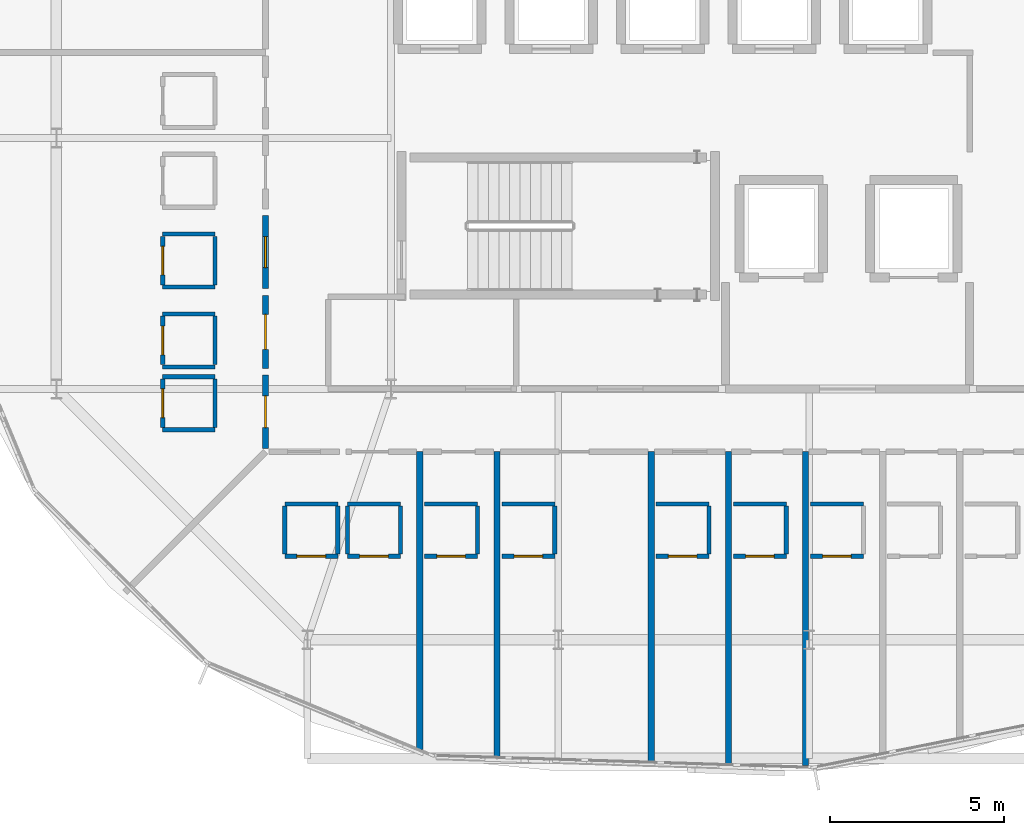
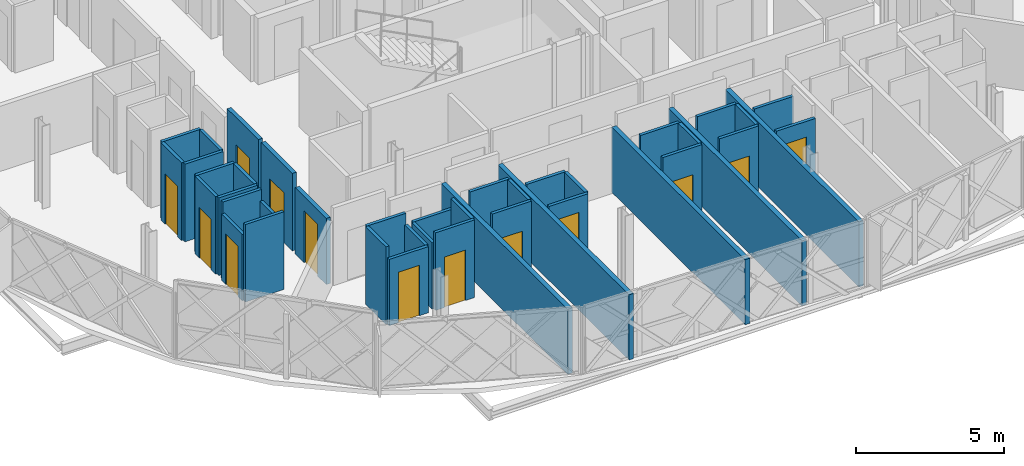
# One storey, part 38 of 50: 42 walls, 13 doors, 13 openings.
"""IFC4 building model written with IfcOpenShell, lengths in metres."""

from ifc_helpers import new_model, si_unit, direction, frame, frame_2d, origin, place, context, subcontext, project, spatial, rectangle, extrude, material, layer, layer_set, type_object, element, fill, save


model = new_model("IFC4")

# Units and contexts
model_context = context("Model", 3, precision=1e-05, world=origin(), true_north=direction((0.0, 1.0)))
body_context = subcontext(model_context, "Body", "Model", "MODEL_VIEW")
ifc_project = project(units=[si_unit("LENGTHUNIT", "METRE"), si_unit("AREAUNIT", "SQUARE_METRE"), si_unit("VOLUMEUNIT", "CUBIC_METRE"), si_unit("PLANEANGLEUNIT", "RADIAN"), si_unit("MASSUNIT", "GRAM", prefix="KILO")], contexts=[model_context])

# Site, building, storey
site_placement = place(None, origin())
site = spatial("IfcSite", under=ifc_project, at=site_placement, CompositionType="ELEMENT")
building_placement = place(site_placement, origin())
building = spatial("IfcBuilding", under=site, at=building_placement, Name="Zevrakil Square Congress Hotel", CompositionType="ELEMENT")
storey_placement = place(building_placement, frame((0.0, 0.0, 21.5)))
storey = spatial("IfcBuildingStorey", under=building, at=storey_placement, Name="L06", CompositionType="ELEMENT", Elevation=21.5)

# Wall, opening, door
ifc_material_1 = material(Name="Gypsum Acoustic Stud Partition")
ifc_layer_1 = layer(ifc_material_1, 0.159912109375)
ifc_layer_set_1 = layer_set([ifc_layer_1], Name="Gypsum Acoustic Stud Partition")
wall_type_1 = type_object("IfcWallType", Name="WAL-CORR-160", PredefinedType="PARTITIONING", material=ifc_layer_set_1)
wall_1_placement = place(storey_placement, frame((133.199951171875, 19.6767578125, 0.0), z_axis=(0.0, 0.0, 1.0), x_axis=(0.0, 1.0, 0.0)))
wall_1 = element("IfcWall", 1, at=wall_1_placement, inside=storey, type_object=wall_type_1, Name="L06 interior partition PW-L06-0904", PredefinedType="PARTITIONING", context=body_context, shape_type="SweptSolid", body=[
    extrude(rectangle(XDim=2.100830078125, YDim=0.159912109375, at=frame_2d((1.05029296875, 0.0))), origin(), (0.0, 0.0, 1.0), 3.195068359375),
])
opening_1_placement = place(wall_1_placement, frame((0.6064453125, 0.0, 0.0)))
opening_1 = element("IfcOpeningElement", 2, at=opening_1_placement, cuts=wall_1, Name="Opening ID-H04", PredefinedType="OPENING", context=body_context, shape_type="SweptSolid", body=[
    extrude(rectangle(XDim=0.887939453125, YDim=2.070068359375, at=frame_2d((0.44384765625, 1.03515625))), frame((0.0, 0.08984375, 0.0), z_axis=(0.0, -1.0, 0.0), x_axis=(1.0, 0.0, 0.0)), (0.0, 0.0, 1.0), 0.179931640625),
])
ifc_material_2 = material(Name="Acoustic Timber Fire Door", Category="wood")
door_type_1 = type_object("IfcDoorType", Name="DOR-INT-H04", OperationType="NOTDEFINED", PredefinedType="DOOR", material=ifc_material_2)
door_1_placement = place(opening_1_placement, origin())
door_1 = element("IfcDoor", 3, at=door_1_placement, inside=storey, type_object=door_type_1, Name="L06 interior door 357", OperationType="SINGLE_SWING_LEFT", OverallHeight=2.070068359375, OverallWidth=0.887939453125, PredefinedType="DOOR", context=body_context, shape_type="SweptSolid", body=[
    extrude(rectangle(XDim=0.887939453125, YDim=2.070068359375, at=frame_2d((0.44384765625, 1.03515625))), frame((0.0, 0.02490234375, 0.0), z_axis=(0.0, -1.0, 0.0), x_axis=(1.0, 0.0, 0.0)), (0.0, 0.0, 1.0), 0.050048828125),
])
fill(opening_1, door_1)

wall_2_placement = place(storey_placement, frame((133.199951171875, 17.385986328125, 0.0), z_axis=(0.0, 0.0, 1.0), x_axis=(0.0, 1.0, 0.0)))
wall_2 = element("IfcWall", 4, at=wall_2_placement, inside=storey, type_object=wall_type_1, Name="L06 interior partition PW-L06-0909", PredefinedType="PARTITIONING", context=body_context, shape_type="SweptSolid", body=[
    extrude(rectangle(XDim=2.100830078125, YDim=0.159912109375, at=frame_2d((1.05029296875, 0.0))), origin(), (0.0, 0.0, 1.0), 3.195068359375),
])
opening_2_placement = place(wall_2_placement, frame((0.5478515625, 0.0, 0.0)))
opening_2 = element("IfcOpeningElement", 5, at=opening_2_placement, cuts=wall_2, Name="Opening ID-G07", PredefinedType="OPENING", context=body_context, shape_type="SweptSolid", body=[
    extrude(rectangle(XDim=1.0048828125, YDim=2.050048828125, at=frame_2d((0.50244140625, 1.02490234375))), frame((0.0, 0.08984375, 0.0), z_axis=(0.0, -1.0, 0.0), x_axis=(1.0, 0.0, 0.0)), (0.0, 0.0, 1.0), 0.179931640625),
])
ifc_material_3 = material(Name="Acoustic Timber Fire Door", Category="wood")
door_type_2 = type_object("IfcDoorType", Name="DOR-INT-G07", OperationType="NOTDEFINED", PredefinedType="DOOR", material=ifc_material_3)
door_2_placement = place(opening_2_placement, origin())
door_2 = element("IfcDoor", 6, at=door_2_placement, inside=storey, type_object=door_type_2, Name="L06 interior door 359", OperationType="SINGLE_SWING_LEFT", OverallHeight=2.050048828125, OverallWidth=1.0048828125, PredefinedType="DOOR", context=body_context, shape_type="SweptSolid", body=[
    extrude(rectangle(XDim=1.0048828125, YDim=2.050048828125, at=frame_2d((0.50244140625, 1.02490234375))), frame((0.0, 0.02490234375, 0.0), z_axis=(0.0, -1.0, 0.0), x_axis=(1.0, 0.0, 0.0)), (0.0, 0.0, 1.0), 0.050048828125),
])
fill(opening_2, door_2)

wall_3_placement = place(storey_placement, frame((133.199951171875, 15.094970703125, 0.0), z_axis=(0.0, 0.0, 1.0), x_axis=(0.0, 1.0, 0.0)))
wall_3 = element("IfcWall", 7, at=wall_3_placement, inside=storey, type_object=wall_type_1, Name="L06 interior partition PW-L06-0914", PredefinedType="PARTITIONING", context=body_context, shape_type="SweptSolid", body=[
    extrude(rectangle(XDim=2.100830078125, YDim=0.159912109375, at=frame_2d((1.05029296875, 0.0))), origin(), (0.0, 0.0, 1.0), 2.72998046875),
])
opening_3_placement = place(wall_3_placement, frame((0.594482421875, 0.0, 0.0)))
opening_3 = element("IfcOpeningElement", 8, at=opening_3_placement, cuts=wall_3, Name="Opening ID-H06", PredefinedType="OPENING", context=body_context, shape_type="SweptSolid", body=[
    extrude(rectangle(XDim=0.912109375, YDim=2.1298828125, at=frame_2d((0.4560546875, 1.06494140625))), frame((0.0, 0.08984375, 0.0), z_axis=(0.0, -1.0, 0.0), x_axis=(1.0, 0.0, 0.0)), (0.0, 0.0, 1.0), 0.179931640625),
])
ifc_material_4 = material(Name="Acoustic Timber Fire Door", Category="wood")
door_type_3 = type_object("IfcDoorType", Name="DOR-INT-H06", OperationType="NOTDEFINED", PredefinedType="DOOR", material=ifc_material_4)
door_3_placement = place(opening_3_placement, origin())
door_3 = element("IfcDoor", 9, at=door_3_placement, inside=storey, type_object=door_type_3, Name="L06 interior door 361", OperationType="SINGLE_SWING_LEFT", OverallHeight=2.1298828125, OverallWidth=0.912109375, PredefinedType="DOOR", context=body_context, shape_type="SweptSolid", body=[
    extrude(rectangle(XDim=0.912109375, YDim=2.1298828125, at=frame_2d((0.4560546875, 1.06494140625))), frame((0.0, 0.02490234375, 0.0), z_axis=(0.0, -1.0, 0.0), x_axis=(1.0, 0.0, 0.0)), (0.0, 0.0, 1.0), 0.050048828125),
])
fill(opening_3, door_3)

ifc_material_5 = material(Name="Moisture-Resistant Gypsum Partition")
ifc_layer_2 = layer(ifc_material_5, 0.1201171875)
ifc_layer_set_2 = layer_set([ifc_layer_2], Name="Moisture-Resistant Gypsum Partition")
wall_type_2 = type_object("IfcWallType", Name="WAL-ENS-120", PredefinedType="PARTITIONING", material=ifc_layer_set_2)
wall_4_placement = place(storey_placement, frame((133.753662109375, 12.0, 0.0), z_axis=(0.0, 0.0, 1.0), x_axis=(1.0, 0.0, 0.0)))
wall_4 = element("IfcWall", 10, at=wall_4_placement, inside=storey, type_object=wall_type_2, Name="L06 interior partition PW-L06-0710", PredefinedType="PARTITIONING", context=body_context, shape_type="SweptSolid", body=[
    extrude(rectangle(XDim=1.52001953125, YDim=0.1201171875, at=frame_2d((0.760009765625, 0.0))), origin(), (0.0, 0.0, 1.0), 2.72998046875),
])
opening_4_placement = place(wall_4_placement, frame((0.35009765625, 0.0, 0.0)))
opening_4 = element("IfcOpeningElement", 11, at=opening_4_placement, cuts=wall_4, Name="Opening ID-11", PredefinedType="OPENING", context=body_context, shape_type="SweptSolid", body=[
    extrude(rectangle(XDim=0.820068359375, YDim=2.080078125, at=frame_2d((0.41015625, 1.0400390625))), frame((0.0, 0.070068359375, 0.0), z_axis=(0.0, -1.0, 0.0), x_axis=(1.0, 0.0, 0.0)), (0.0, 0.0, 1.0), 0.14013671875),
])
ifc_material_6 = material(Name="Acoustic Timber Door", Category="wood")
door_type_4 = type_object("IfcDoorType", Name="DOR-INT-V01", OperationType="NOTDEFINED", PredefinedType="DOOR", material=ifc_material_6)
door_4_placement = place(opening_4_placement, origin())
door_4 = element("IfcDoor", 12, at=door_4_placement, inside=storey, type_object=door_type_4, Name="L06 interior door 282", OperationType="SINGLE_SWING_RIGHT", OverallHeight=2.080078125, OverallWidth=0.820068359375, PredefinedType="DOOR", context=body_context, shape_type="SweptSolid", body=[
    extrude(rectangle(XDim=0.820068359375, YDim=2.080078125, at=frame_2d((0.41015625, 1.0400390625))), frame((0.0, 0.02490234375, 0.0), z_axis=(0.0, -1.0, 0.0), x_axis=(1.0, 0.0, 0.0)), (0.0, 0.0, 1.0), 0.050048828125),
])
fill(opening_4, door_4)

# Walls
wall_5_placement = place(storey_placement, frame((133.753662109375, 13.5, 0.0), z_axis=(0.0, 0.0, 1.0), x_axis=(1.0, 0.0, 0.0)))
element("IfcWall", 13, at=wall_5_placement, inside=storey, type_object=wall_type_2, Name="L06 interior partition PW-L06-0711", PredefinedType="PARTITIONING", context=body_context, shape_type="SweptSolid", body=[
    extrude(rectangle(XDim=1.52001953125, YDim=0.1201171875, at=frame_2d((0.760009765625, 0.0))), origin(), (0.0, 0.0, 1.0), 3.195068359375),
])
wall_6_placement = place(storey_placement, frame((133.753662109375, 12.06494140625, 0.0), z_axis=(0.0, 0.0, 1.0), x_axis=(0.0, 1.0, 0.0)))
element("IfcWall", 14, at=wall_6_placement, inside=storey, type_object=wall_type_2, Name="L06 interior partition PW-L06-0712", PredefinedType="PARTITIONING", context=body_context, shape_type="SweptSolid", body=[
    extrude(rectangle(XDim=1.3701171875, YDim=0.1201171875, at=frame_2d((0.68505859375, 0.0))), origin(), (0.0, 0.0, 1.0), 3.195068359375),
])
wall_7_placement = place(storey_placement, frame((135.273681640625, 12.06494140625, 0.0), z_axis=(0.0, 0.0, 1.0), x_axis=(0.0, 1.0, 0.0)))
element("IfcWall", 15, at=wall_7_placement, inside=storey, type_object=wall_type_2, Name="L06 interior partition PW-L06-0713", PredefinedType="PARTITIONING", context=body_context, shape_type="SweptSolid", body=[
    extrude(rectangle(XDim=1.3701171875, YDim=0.1201171875, at=frame_2d((0.68505859375, 0.0))), origin(), (0.0, 0.0, 1.0), 2.72998046875),
])

# Wall, opening, door
wall_8_placement = place(storey_placement, frame((135.5537109375, 12.0, 0.0), z_axis=(0.0, 0.0, 1.0), x_axis=(1.0, 0.0, 0.0)))
wall_8 = element("IfcWall", 16, at=wall_8_placement, inside=storey, type_object=wall_type_2, Name="L06 interior partition PW-L06-0716", PredefinedType="PARTITIONING", context=body_context, shape_type="SweptSolid", body=[
    extrude(rectangle(XDim=1.519775390625, YDim=0.1201171875, at=frame_2d((0.759765625, 0.0))), origin(), (0.0, 0.0, 1.0), 3.195068359375),
])
opening_5_placement = place(wall_8_placement, frame((0.35009765625, 0.0, 0.0)))
opening_5 = element("IfcOpeningElement", 17, at=opening_5_placement, cuts=wall_8, Name="Opening ID-11", PredefinedType="OPENING", context=body_context, shape_type="SweptSolid", body=[
    extrude(rectangle(XDim=0.820068359375, YDim=2.080078125, at=frame_2d((0.41015625, 1.0400390625))), frame((0.0, 0.070068359375, 0.0), z_axis=(0.0, -1.0, 0.0), x_axis=(1.0, 0.0, 0.0)), (0.0, 0.0, 1.0), 0.14013671875),
])
door_5_placement = place(opening_5_placement, origin())
door_5 = element("IfcDoor", 18, at=door_5_placement, inside=storey, type_object=door_type_4, Name="L06 interior door 284", OperationType="SINGLE_SWING_RIGHT", OverallHeight=2.080078125, OverallWidth=0.820068359375, PredefinedType="DOOR", context=body_context, shape_type="SweptSolid", body=[
    extrude(rectangle(XDim=0.820068359375, YDim=2.080078125, at=frame_2d((0.41015625, 1.0400390625))), frame((0.0, 0.02490234375, 0.0), z_axis=(0.0, -1.0, 0.0), x_axis=(1.0, 0.0, 0.0)), (0.0, 0.0, 1.0), 0.050048828125),
])
fill(opening_5, door_5)

# Walls
wall_9_placement = place(storey_placement, frame((135.5537109375, 13.5, 0.0), z_axis=(0.0, 0.0, 1.0), x_axis=(1.0, 0.0, 0.0)))
element("IfcWall", 19, at=wall_9_placement, inside=storey, type_object=wall_type_2, Name="L06 interior partition PW-L06-0717", PredefinedType="PARTITIONING", context=body_context, shape_type="SweptSolid", body=[
    extrude(rectangle(XDim=1.519775390625, YDim=0.1201171875, at=frame_2d((0.759765625, 0.0))), origin(), (0.0, 0.0, 1.0), 2.72998046875),
])
wall_10_placement = place(storey_placement, frame((135.5537109375, 12.06494140625, 0.0), z_axis=(0.0, 0.0, 1.0), x_axis=(0.0, 1.0, 0.0)))
element("IfcWall", 20, at=wall_10_placement, inside=storey, type_object=wall_type_2, Name="L06 interior partition PW-L06-0718", PredefinedType="PARTITIONING", context=body_context, shape_type="SweptSolid", body=[
    extrude(rectangle(XDim=1.3701171875, YDim=0.1201171875, at=frame_2d((0.68505859375, 0.0))), origin(), (0.0, 0.0, 1.0), 2.72998046875),
])
wall_11_placement = place(storey_placement, frame((137.073486328125, 12.06494140625, 0.0), z_axis=(0.0, 0.0, 1.0), x_axis=(0.0, 1.0, 0.0)))
element("IfcWall", 21, at=wall_11_placement, inside=storey, type_object=wall_type_2, Name="L06 interior partition PW-L06-0719", PredefinedType="PARTITIONING", context=body_context, shape_type="SweptSolid", body=[
    extrude(rectangle(XDim=1.3701171875, YDim=0.1201171875, at=frame_2d((0.68505859375, 0.0))), origin(), (0.0, 0.0, 1.0), 3.195068359375),
])

# Wall, opening, door
wall_12_placement = place(storey_placement, frame((137.767333984375, 12.0, 0.0), z_axis=(0.0, 0.0, 1.0), x_axis=(1.0, 0.0, 0.0)))
wall_12 = element("IfcWall", 22, at=wall_12_placement, inside=storey, type_object=wall_type_2, Name="L06 interior partition PW-L06-0722", PredefinedType="PARTITIONING", context=body_context, shape_type="SweptSolid", body=[
    extrude(rectangle(XDim=1.52001953125, YDim=0.1201171875, at=frame_2d((0.760009765625, 0.0))), origin(), (0.0, 0.0, 1.0), 3.195068359375),
])
opening_6_placement = place(wall_12_placement, frame((0.35009765625, 0.0, 0.0)))
opening_6 = element("IfcOpeningElement", 23, at=opening_6_placement, cuts=wall_12, Name="Opening ID-11", PredefinedType="OPENING", context=body_context, shape_type="SweptSolid", body=[
    extrude(rectangle(XDim=0.820068359375, YDim=2.080078125, at=frame_2d((0.41015625, 1.0400390625))), frame((0.0, 0.070068359375, 0.0), z_axis=(0.0, -1.0, 0.0), x_axis=(1.0, 0.0, 0.0)), (0.0, 0.0, 1.0), 0.14013671875),
])
door_6_placement = place(opening_6_placement, origin())
door_6 = element("IfcDoor", 24, at=door_6_placement, inside=storey, type_object=door_type_4, Name="L06 interior door 286", OperationType="SINGLE_SWING_RIGHT", OverallHeight=2.080078125, OverallWidth=0.820068359375, PredefinedType="DOOR", context=body_context, shape_type="SweptSolid", body=[
    extrude(rectangle(XDim=0.820068359375, YDim=2.080078125, at=frame_2d((0.41015625, 1.0400390625))), frame((0.0, 0.02490234375, 0.0), z_axis=(0.0, -1.0, 0.0), x_axis=(1.0, 0.0, 0.0)), (0.0, 0.0, 1.0), 0.050048828125),
])
fill(opening_6, door_6)

# Walls
wall_13_placement = place(storey_placement, frame((137.767333984375, 13.5, 0.0), z_axis=(0.0, 0.0, 1.0), x_axis=(1.0, 0.0, 0.0)))
element("IfcWall", 25, at=wall_13_placement, inside=storey, type_object=wall_type_2, Name="L06 interior partition PW-L06-0723", PredefinedType="PARTITIONING", context=body_context, shape_type="SweptSolid", body=[
    extrude(rectangle(XDim=1.52001953125, YDim=0.1201171875, at=frame_2d((0.760009765625, 0.0))), origin(), (0.0, 0.0, 1.0), 3.195068359375),
])
wall_14_placement = place(storey_placement, frame((139.287353515625, 12.06494140625, 0.0), z_axis=(0.0, 0.0, 1.0), x_axis=(0.0, 1.0, 0.0)))
element("IfcWall", 26, at=wall_14_placement, inside=storey, type_object=wall_type_2, Name="L06 interior partition PW-L06-0724", PredefinedType="PARTITIONING", context=body_context, shape_type="SweptSolid", body=[
    extrude(rectangle(XDim=1.3701171875, YDim=0.1201171875, at=frame_2d((0.68505859375, 0.0))), origin(), (0.0, 0.0, 1.0), 3.195068359375),
])

# Wall, opening, door
wall_15_placement = place(storey_placement, frame((139.98095703125, 12.0, 0.0), z_axis=(0.0, 0.0, 1.0), x_axis=(1.0, 0.0, 0.0)))
wall_15 = element("IfcWall", 27, at=wall_15_placement, inside=storey, type_object=wall_type_2, Name="L06 interior partition PW-L06-0727", PredefinedType="PARTITIONING", context=body_context, shape_type="SweptSolid", body=[
    extrude(rectangle(XDim=1.52001953125, YDim=0.1201171875, at=frame_2d((0.760009765625, 0.0))), origin(), (0.0, 0.0, 1.0), 2.72998046875),
])
opening_7_placement = place(wall_15_placement, frame((0.35009765625, 0.0, 0.0)))
opening_7 = element("IfcOpeningElement", 28, at=opening_7_placement, cuts=wall_15, Name="Opening ID-11", PredefinedType="OPENING", context=body_context, shape_type="SweptSolid", body=[
    extrude(rectangle(XDim=0.820068359375, YDim=2.080078125, at=frame_2d((0.41015625, 1.0400390625))), frame((0.0, 0.070068359375, 0.0), z_axis=(0.0, -1.0, 0.0), x_axis=(1.0, 0.0, 0.0)), (0.0, 0.0, 1.0), 0.14013671875),
])
door_7_placement = place(opening_7_placement, origin())
door_7 = element("IfcDoor", 29, at=door_7_placement, inside=storey, type_object=door_type_4, Name="L06 interior door 288", OperationType="SINGLE_SWING_RIGHT", OverallHeight=2.080078125, OverallWidth=0.820068359375, PredefinedType="DOOR", context=body_context, shape_type="SweptSolid", body=[
    extrude(rectangle(XDim=0.820068359375, YDim=2.080078125, at=frame_2d((0.41015625, 1.0400390625))), frame((0.0, 0.02490234375, 0.0), z_axis=(0.0, -1.0, 0.0), x_axis=(1.0, 0.0, 0.0)), (0.0, 0.0, 1.0), 0.050048828125),
])
fill(opening_7, door_7)

# Walls
wall_16_placement = place(storey_placement, frame((139.98095703125, 13.5, 0.0), z_axis=(0.0, 0.0, 1.0), x_axis=(1.0, 0.0, 0.0)))
element("IfcWall", 30, at=wall_16_placement, inside=storey, type_object=wall_type_2, Name="L06 interior partition PW-L06-0728", PredefinedType="PARTITIONING", context=body_context, shape_type="SweptSolid", body=[
    extrude(rectangle(XDim=1.52001953125, YDim=0.1201171875, at=frame_2d((0.760009765625, 0.0))), origin(), (0.0, 0.0, 1.0), 2.72998046875),
])
wall_17_placement = place(storey_placement, frame((141.5009765625, 12.06494140625, 0.0), z_axis=(0.0, 0.0, 1.0), x_axis=(0.0, 1.0, 0.0)))
element("IfcWall", 31, at=wall_17_placement, inside=storey, type_object=wall_type_2, Name="L06 interior partition PW-L06-0729", PredefinedType="PARTITIONING", context=body_context, shape_type="SweptSolid", body=[
    extrude(rectangle(XDim=1.3701171875, YDim=0.1201171875, at=frame_2d((0.68505859375, 0.0))), origin(), (0.0, 0.0, 1.0), 2.72998046875),
])

# Wall, opening, door
wall_18_placement = place(storey_placement, frame((144.408203125, 12.0, 0.0), z_axis=(0.0, 0.0, 1.0), x_axis=(1.0, 0.0, 0.0)))
wall_18 = element("IfcWall", 32, at=wall_18_placement, inside=storey, type_object=wall_type_2, Name="L06 interior partition PW-L06-0732", PredefinedType="PARTITIONING", context=body_context, shape_type="SweptSolid", body=[
    extrude(rectangle(XDim=1.52001953125, YDim=0.1201171875, at=frame_2d((0.760009765625, 0.0))), origin(), (0.0, 0.0, 1.0), 3.195068359375),
])
opening_8_placement = place(wall_18_placement, frame((0.35009765625, 0.0, 0.0)))
opening_8 = element("IfcOpeningElement", 33, at=opening_8_placement, cuts=wall_18, Name="Opening ID-11", PredefinedType="OPENING", context=body_context, shape_type="SweptSolid", body=[
    extrude(rectangle(XDim=0.820068359375, YDim=2.080078125, at=frame_2d((0.41015625, 1.0400390625))), frame((0.0, 0.070068359375, 0.0), z_axis=(0.0, -1.0, 0.0), x_axis=(1.0, 0.0, 0.0)), (0.0, 0.0, 1.0), 0.14013671875),
])
door_8_placement = place(opening_8_placement, origin())
door_8 = element("IfcDoor", 34, at=door_8_placement, inside=storey, type_object=door_type_4, Name="L06 interior door 290", OperationType="SINGLE_SWING_RIGHT", OverallHeight=2.080078125, OverallWidth=0.820068359375, PredefinedType="DOOR", context=body_context, shape_type="SweptSolid", body=[
    extrude(rectangle(XDim=0.820068359375, YDim=2.080078125, at=frame_2d((0.41015625, 1.0400390625))), frame((0.0, 0.02490234375, 0.0), z_axis=(0.0, -1.0, 0.0), x_axis=(1.0, 0.0, 0.0)), (0.0, 0.0, 1.0), 0.050048828125),
])
fill(opening_8, door_8)

# Walls
wall_19_placement = place(storey_placement, frame((144.408203125, 13.5, 0.0), z_axis=(0.0, 0.0, 1.0), x_axis=(1.0, 0.0, 0.0)))
element("IfcWall", 35, at=wall_19_placement, inside=storey, type_object=wall_type_2, Name="L06 interior partition PW-L06-0733", PredefinedType="PARTITIONING", context=body_context, shape_type="SweptSolid", body=[
    extrude(rectangle(XDim=1.52001953125, YDim=0.1201171875, at=frame_2d((0.760009765625, 0.0))), origin(), (0.0, 0.0, 1.0), 3.195068359375),
])
wall_20_placement = place(storey_placement, frame((145.92822265625, 12.06494140625, 0.0), z_axis=(0.0, 0.0, 1.0), x_axis=(0.0, 1.0, 0.0)))
element("IfcWall", 36, at=wall_20_placement, inside=storey, type_object=wall_type_2, Name="L06 interior partition PW-L06-0734", PredefinedType="PARTITIONING", context=body_context, shape_type="SweptSolid", body=[
    extrude(rectangle(XDim=1.3701171875, YDim=0.1201171875, at=frame_2d((0.68505859375, 0.0))), origin(), (0.0, 0.0, 1.0), 3.195068359375),
])

# Wall, opening, door
wall_21_placement = place(storey_placement, frame((146.621826171875, 12.0, 0.0), z_axis=(0.0, 0.0, 1.0), x_axis=(1.0, 0.0, 0.0)))
wall_21 = element("IfcWall", 37, at=wall_21_placement, inside=storey, type_object=wall_type_2, Name="L06 interior partition PW-L06-0737", PredefinedType="PARTITIONING", context=body_context, shape_type="SweptSolid", body=[
    extrude(rectangle(XDim=1.52001953125, YDim=0.1201171875, at=frame_2d((0.760009765625, 0.0))), origin(), (0.0, 0.0, 1.0), 3.195068359375),
])
opening_9_placement = place(wall_21_placement, frame((0.35009765625, 0.0, 0.0)))
opening_9 = element("IfcOpeningElement", 38, at=opening_9_placement, cuts=wall_21, Name="Opening ID-11", PredefinedType="OPENING", context=body_context, shape_type="SweptSolid", body=[
    extrude(rectangle(XDim=0.820068359375, YDim=2.080078125, at=frame_2d((0.41015625, 1.0400390625))), frame((0.0, 0.070068359375, 0.0), z_axis=(0.0, -1.0, 0.0), x_axis=(1.0, 0.0, 0.0)), (0.0, 0.0, 1.0), 0.14013671875),
])
door_9_placement = place(opening_9_placement, origin())
door_9 = element("IfcDoor", 39, at=door_9_placement, inside=storey, type_object=door_type_4, Name="L06 interior door 292", OperationType="SINGLE_SWING_RIGHT", OverallHeight=2.080078125, OverallWidth=0.820068359375, PredefinedType="DOOR", context=body_context, shape_type="SweptSolid", body=[
    extrude(rectangle(XDim=0.820068359375, YDim=2.080078125, at=frame_2d((0.41015625, 1.0400390625))), frame((0.0, 0.02490234375, 0.0), z_axis=(0.0, -1.0, 0.0), x_axis=(1.0, 0.0, 0.0)), (0.0, 0.0, 1.0), 0.050048828125),
])
fill(opening_9, door_9)

# Walls
wall_22_placement = place(storey_placement, frame((146.621826171875, 13.5, 0.0), z_axis=(0.0, 0.0, 1.0), x_axis=(1.0, 0.0, 0.0)))
element("IfcWall", 40, at=wall_22_placement, inside=storey, type_object=wall_type_2, Name="L06 interior partition PW-L06-0738", PredefinedType="PARTITIONING", context=body_context, shape_type="SweptSolid", body=[
    extrude(rectangle(XDim=1.52001953125, YDim=0.1201171875, at=frame_2d((0.760009765625, 0.0))), origin(), (0.0, 0.0, 1.0), 3.195068359375),
])
wall_23_placement = place(storey_placement, frame((148.141845703125, 12.06494140625, 0.0), z_axis=(0.0, 0.0, 1.0), x_axis=(0.0, 1.0, 0.0)))
element("IfcWall", 41, at=wall_23_placement, inside=storey, type_object=wall_type_2, Name="L06 interior partition PW-L06-0739", PredefinedType="PARTITIONING", context=body_context, shape_type="SweptSolid", body=[
    extrude(rectangle(XDim=1.3701171875, YDim=0.1201171875, at=frame_2d((0.68505859375, 0.0))), origin(), (0.0, 0.0, 1.0), 3.195068359375),
])

# Wall, opening, door
wall_24_placement = place(storey_placement, frame((148.83544921875, 12.0, 0.0), z_axis=(0.0, 0.0, 1.0), x_axis=(1.0, 0.0, 0.0)))
wall_24 = element("IfcWall", 42, at=wall_24_placement, inside=storey, type_object=wall_type_2, Name="L06 interior partition PW-L06-0742", PredefinedType="PARTITIONING", context=body_context, shape_type="SweptSolid", body=[
    extrude(rectangle(XDim=1.52001953125, YDim=0.1201171875, at=frame_2d((0.760009765625, 0.0))), origin(), (0.0, 0.0, 1.0), 2.72998046875),
])
opening_10_placement = place(wall_24_placement, frame((0.35009765625, 0.0, 0.0)))
opening_10 = element("IfcOpeningElement", 43, at=opening_10_placement, cuts=wall_24, Name="Opening ID-11", PredefinedType="OPENING", context=body_context, shape_type="SweptSolid", body=[
    extrude(rectangle(XDim=0.820068359375, YDim=2.080078125, at=frame_2d((0.41015625, 1.0400390625))), frame((0.0, 0.070068359375, 0.0), z_axis=(0.0, -1.0, 0.0), x_axis=(1.0, 0.0, 0.0)), (0.0, 0.0, 1.0), 0.14013671875),
])
door_10_placement = place(opening_10_placement, origin())
door_10 = element("IfcDoor", 44, at=door_10_placement, inside=storey, type_object=door_type_4, Name="L06 interior door 294", OperationType="SINGLE_SWING_RIGHT", OverallHeight=2.080078125, OverallWidth=0.820068359375, PredefinedType="DOOR", context=body_context, shape_type="SweptSolid", body=[
    extrude(rectangle(XDim=0.820068359375, YDim=2.080078125, at=frame_2d((0.41015625, 1.0400390625))), frame((0.0, 0.02490234375, 0.0), z_axis=(0.0, -1.0, 0.0), x_axis=(1.0, 0.0, 0.0)), (0.0, 0.0, 1.0), 0.050048828125),
])
fill(opening_10, door_10)

# Walls
wall_25_placement = place(storey_placement, frame((148.83544921875, 13.5, 0.0), z_axis=(0.0, 0.0, 1.0), x_axis=(1.0, 0.0, 0.0)))
element("IfcWall", 45, at=wall_25_placement, inside=storey, type_object=wall_type_2, Name="L06 interior partition PW-L06-0743", PredefinedType="PARTITIONING", context=body_context, shape_type="SweptSolid", body=[
    extrude(rectangle(XDim=1.52001953125, YDim=0.1201171875, at=frame_2d((0.760009765625, 0.0))), origin(), (0.0, 0.0, 1.0), 2.72998046875),
])
for number, where, z_axis, x_axis, name in (
    (46, (130.25, 19.7216796875, 0.0), (0.0, 0.0, 1.0), (1.0, 0.0, 0.0), "L06 interior partition PW-L06-0905"),
    (47, (130.25, 21.24169921875, 0.0), (0.0, 0.0, 1.0), (1.0, 0.0, 0.0), "L06 interior partition PW-L06-0906"),
):
    element("IfcWall", number, at=place(storey_placement, frame(where, z_axis=z_axis, x_axis=x_axis)), inside=storey, type_object=wall_type_2, Name=name, PredefinedType="PARTITIONING", context=body_context, shape_type="SweptSolid", body=[
        extrude(rectangle(XDim=1.5, YDim=0.1201171875, at=frame_2d((0.75, 0.0))), origin(), (0.0, 0.0, 1.0), 3.195068359375),
    ])

# Wall, opening, door
wall_26_placement = place(storey_placement, frame((130.25, 19.786865234375, 0.0), z_axis=(0.0, 0.0, 1.0), x_axis=(0.0, 1.0, 0.0)))
wall_26 = element("IfcWall", 48, at=wall_26_placement, inside=storey, type_object=wall_type_2, Name="L06 interior partition PW-L06-0907", PredefinedType="PARTITIONING", context=body_context, shape_type="SweptSolid", body=[
    extrude(rectangle(XDim=1.389892578125, YDim=0.1201171875, at=frame_2d((0.69482421875, 0.0))), origin(), (0.0, 0.0, 1.0), 3.195068359375),
])
opening_11_placement = place(wall_26_placement, frame((0.284912109375, 0.0, 0.0)))
opening_11 = element("IfcOpeningElement", 49, at=opening_11_placement, cuts=wall_26, Name="Opening ID-11", PredefinedType="OPENING", context=body_context, shape_type="SweptSolid", body=[
    extrude(rectangle(XDim=0.820068359375, YDim=2.080078125, at=frame_2d((0.41015625, 1.0400390625))), frame((0.0, 0.070068359375, 0.0), z_axis=(0.0, -1.0, 0.0), x_axis=(1.0, 0.0, 0.0)), (0.0, 0.0, 1.0), 0.14013671875),
])
door_11_placement = place(opening_11_placement, origin())
door_11 = element("IfcDoor", 50, at=door_11_placement, inside=storey, type_object=door_type_4, Name="L06 interior door 358", OperationType="SINGLE_SWING_RIGHT", OverallHeight=2.080078125, OverallWidth=0.820068359375, PredefinedType="DOOR", context=body_context, shape_type="SweptSolid", body=[
    extrude(rectangle(XDim=0.820068359375, YDim=2.080078125, at=frame_2d((0.41015625, 1.0400390625))), frame((0.0, 0.02490234375, 0.0), z_axis=(0.0, -1.0, 0.0), x_axis=(1.0, 0.0, 0.0)), (0.0, 0.0, 1.0), 0.050048828125),
])
fill(opening_11, door_11)

# Walls
wall_27_placement = place(storey_placement, frame((131.75, 19.786865234375, 0.0), z_axis=(0.0, 0.0, 1.0), x_axis=(0.0, 1.0, 0.0)))
element("IfcWall", 51, at=wall_27_placement, inside=storey, type_object=wall_type_2, Name="L06 interior partition PW-L06-0908", PredefinedType="PARTITIONING", context=body_context, shape_type="SweptSolid", body=[
    extrude(rectangle(XDim=1.389892578125, YDim=0.1201171875, at=frame_2d((0.69482421875, 0.0))), origin(), (0.0, 0.0, 1.0), 3.195068359375),
])
for number, where, z_axis, x_axis, name in (
    (52, (130.25, 17.430908203125, 0.0), (0.0, 0.0, 1.0), (1.0, 0.0, 0.0), "L06 interior partition PW-L06-0910"),
    (53, (130.25, 18.950927734375, 0.0), (0.0, 0.0, 1.0), (1.0, 0.0, 0.0), "L06 interior partition PW-L06-0911"),
):
    element("IfcWall", number, at=place(storey_placement, frame(where, z_axis=z_axis, x_axis=x_axis)), inside=storey, type_object=wall_type_2, Name=name, PredefinedType="PARTITIONING", context=body_context, shape_type="SweptSolid", body=[
        extrude(rectangle(XDim=1.5, YDim=0.1201171875, at=frame_2d((0.75, 0.0))), origin(), (0.0, 0.0, 1.0), 3.195068359375),
    ])

# Wall, opening, door
wall_28_placement = place(storey_placement, frame((130.25, 17.495849609375, 0.0), z_axis=(0.0, 0.0, 1.0), x_axis=(0.0, 1.0, 0.0)))
wall_28 = element("IfcWall", 54, at=wall_28_placement, inside=storey, type_object=wall_type_2, Name="L06 interior partition PW-L06-0912", PredefinedType="PARTITIONING", context=body_context, shape_type="SweptSolid", body=[
    extrude(rectangle(XDim=1.39013671875, YDim=0.1201171875, at=frame_2d((0.695068359375, 0.0))), origin(), (0.0, 0.0, 1.0), 3.195068359375),
])
opening_12_placement = place(wall_28_placement, frame((0.284912109375, 0.0, 0.0)))
opening_12 = element("IfcOpeningElement", 55, at=opening_12_placement, cuts=wall_28, Name="Opening ID-11", PredefinedType="OPENING", context=body_context, shape_type="SweptSolid", body=[
    extrude(rectangle(XDim=0.820068359375, YDim=2.080078125, at=frame_2d((0.41015625, 1.0400390625))), frame((0.0, 0.070068359375, 0.0), z_axis=(0.0, -1.0, 0.0), x_axis=(1.0, 0.0, 0.0)), (0.0, 0.0, 1.0), 0.14013671875),
])
door_12_placement = place(opening_12_placement, origin())
door_12 = element("IfcDoor", 56, at=door_12_placement, inside=storey, type_object=door_type_4, Name="L06 interior door 360", OperationType="SINGLE_SWING_RIGHT", OverallHeight=2.080078125, OverallWidth=0.820068359375, PredefinedType="DOOR", context=body_context, shape_type="SweptSolid", body=[
    extrude(rectangle(XDim=0.820068359375, YDim=2.080078125, at=frame_2d((0.41015625, 1.0400390625))), frame((0.0, 0.02490234375, 0.0), z_axis=(0.0, -1.0, 0.0), x_axis=(1.0, 0.0, 0.0)), (0.0, 0.0, 1.0), 0.050048828125),
])
fill(opening_12, door_12)

# Walls
wall_29_placement = place(storey_placement, frame((131.75, 17.495849609375, 0.0), z_axis=(0.0, 0.0, 1.0), x_axis=(0.0, 1.0, 0.0)))
element("IfcWall", 57, at=wall_29_placement, inside=storey, type_object=wall_type_2, Name="L06 interior partition PW-L06-0913", PredefinedType="PARTITIONING", context=body_context, shape_type="SweptSolid", body=[
    extrude(rectangle(XDim=1.39013671875, YDim=0.1201171875, at=frame_2d((0.695068359375, 0.0))), origin(), (0.0, 0.0, 1.0), 3.195068359375),
])
for number, where, z_axis, x_axis, name in (
    (58, (130.25, 15.630859375, 0.0), (0.0, 0.0, 1.0), (1.0, 0.0, 0.0), "L06 interior partition PW-L06-0915"),
    (59, (130.25, 17.15087890625, 0.0), (0.0, 0.0, 1.0), (1.0, 0.0, 0.0), "L06 interior partition PW-L06-0916"),
):
    element("IfcWall", number, at=place(storey_placement, frame(where, z_axis=z_axis, x_axis=x_axis)), inside=storey, type_object=wall_type_2, Name=name, PredefinedType="PARTITIONING", context=body_context, shape_type="SweptSolid", body=[
        extrude(rectangle(XDim=1.5, YDim=0.1201171875, at=frame_2d((0.75, 0.0))), origin(), (0.0, 0.0, 1.0), 3.195068359375),
    ])

# Wall, opening, door
wall_30_placement = place(storey_placement, frame((130.25, 15.69580078125, 0.0), z_axis=(0.0, 0.0, 1.0), x_axis=(0.0, 1.0, 0.0)))
wall_30 = element("IfcWall", 60, at=wall_30_placement, inside=storey, type_object=wall_type_2, Name="L06 interior partition PW-L06-0917", PredefinedType="PARTITIONING", context=body_context, shape_type="SweptSolid", body=[
    extrude(rectangle(XDim=1.39013671875, YDim=0.1201171875, at=frame_2d((0.695068359375, 0.0))), origin(), (0.0, 0.0, 1.0), 2.72998046875),
])
opening_13_placement = place(wall_30_placement, frame((0.284912109375, 0.0, 0.0)))
opening_13 = element("IfcOpeningElement", 61, at=opening_13_placement, cuts=wall_30, Name="Opening ID-11", PredefinedType="OPENING", context=body_context, shape_type="SweptSolid", body=[
    extrude(rectangle(XDim=0.820068359375, YDim=2.080078125, at=frame_2d((0.41015625, 1.0400390625))), frame((0.0, 0.070068359375, 0.0), z_axis=(0.0, -1.0, 0.0), x_axis=(1.0, 0.0, 0.0)), (0.0, 0.0, 1.0), 0.14013671875),
])
door_13_placement = place(opening_13_placement, origin())
door_13 = element("IfcDoor", 62, at=door_13_placement, inside=storey, type_object=door_type_4, Name="L06 interior door 362", OperationType="SINGLE_SWING_RIGHT", OverallHeight=2.080078125, OverallWidth=0.820068359375, PredefinedType="DOOR", context=body_context, shape_type="SweptSolid", body=[
    extrude(rectangle(XDim=0.820068359375, YDim=2.080078125, at=frame_2d((0.41015625, 1.0400390625))), frame((0.0, 0.02490234375, 0.0), z_axis=(0.0, -1.0, 0.0), x_axis=(1.0, 0.0, 0.0)), (0.0, 0.0, 1.0), 0.050048828125),
])
fill(opening_13, door_13)

# Walls
wall_31_placement = place(storey_placement, frame((131.75, 15.69580078125, 0.0), z_axis=(0.0, 0.0, 1.0), x_axis=(0.0, 1.0, 0.0)))
element("IfcWall", 63, at=wall_31_placement, inside=storey, type_object=wall_type_2, Name="L06 interior partition PW-L06-0918", PredefinedType="PARTITIONING", context=body_context, shape_type="SweptSolid", body=[
    extrude(rectangle(XDim=1.39013671875, YDim=0.1201171875, at=frame_2d((0.695068359375, 0.0))), origin(), (0.0, 0.0, 1.0), 2.72998046875),
])
ifc_material_7 = material(Name="Gypsum Twin-Stud Party Partition")
ifc_layer_3 = layer(ifc_material_7, 0.179931640625)
ifc_layer_set_3 = layer_set([ifc_layer_3], Name="Gypsum Twin-Stud Party Partition")
wall_type_3 = type_object("IfcWallType", Name="WAL-PARTY-180", PredefinedType="PARTITIONING", material=ifc_layer_set_3)
wall_32_placement = place(storey_placement, frame((137.627197265625, 6.4541015625, 0.0), z_axis=(0.0, 0.0, 1.0), x_axis=(0.0, 1.0, 0.0)))
element("IfcWall", 64, at=wall_32_placement, inside=storey, type_object=wall_type_3, Name="L06 interior partition PW-L06-0720", PredefinedType="PARTITIONING", context=body_context, shape_type="SweptSolid", body=[
    extrude(rectangle(XDim=8.5458984375, YDim=0.179931640625, at=frame_2d((4.27294921875, 0.0))), origin(), (0.0, 0.0, 1.0), 2.679931640625),
])
wall_33_placement = place(storey_placement, frame((139.8408203125, 6.155517578125, 0.0), z_axis=(0.0, 0.0, 1.0), x_axis=(0.0, 1.0, 0.0)))
element("IfcWall", 65, at=wall_33_placement, inside=storey, type_object=wall_type_3, Name="L06 interior partition PW-L06-0725", PredefinedType="PARTITIONING", context=body_context, shape_type="SweptSolid", body=[
    extrude(rectangle(XDim=8.844482421875, YDim=0.179931640625, at=frame_2d((4.42236328125, 0.0))), origin(), (0.0, 0.0, 1.0), 2.679931640625),
])
for number, where, z_axis, x_axis, name in (
    (66, (144.268310546875, 5.989990234375, 0.0), (0.0, 0.0, 1.0), (0.0, 1.0, 0.0), "L06 interior partition PW-L06-0730"),
    (67, (146.481689453125, 5.989990234375, 0.0), (0.0, 0.0, 1.0), (0.0, 1.0, 0.0), "L06 interior partition PW-L06-0735"),
    (68, (148.695556640625, 5.989990234375, 0.0), (0.0, 0.0, 1.0), (0.0, 1.0, 0.0), "L06 interior partition PW-L06-0740"),
):
    element("IfcWall", number, at=place(storey_placement, frame(where, z_axis=z_axis, x_axis=x_axis)), inside=storey, type_object=wall_type_3, Name=name, PredefinedType="PARTITIONING", context=body_context, shape_type="SweptSolid", body=[
        extrude(rectangle(XDim=9.010009765625, YDim=0.179931640625, at=frame_2d((4.5048828125, 0.0))), origin(), (0.0, 0.0, 1.0), 2.679931640625),
    ])

save(model, "model.ifc")
